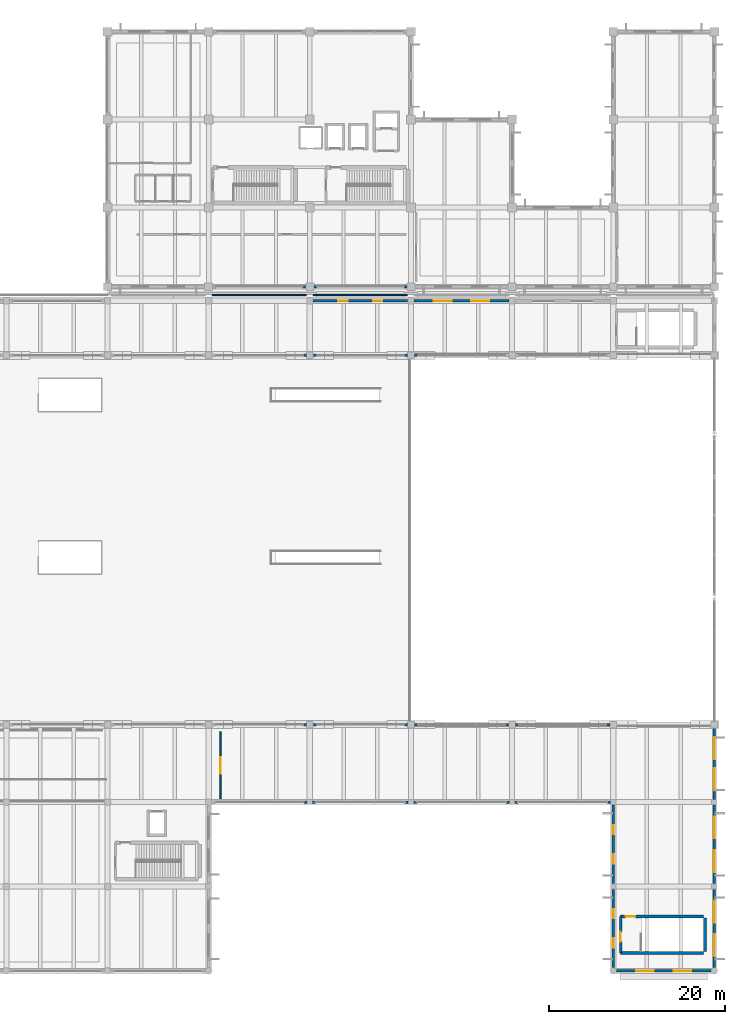
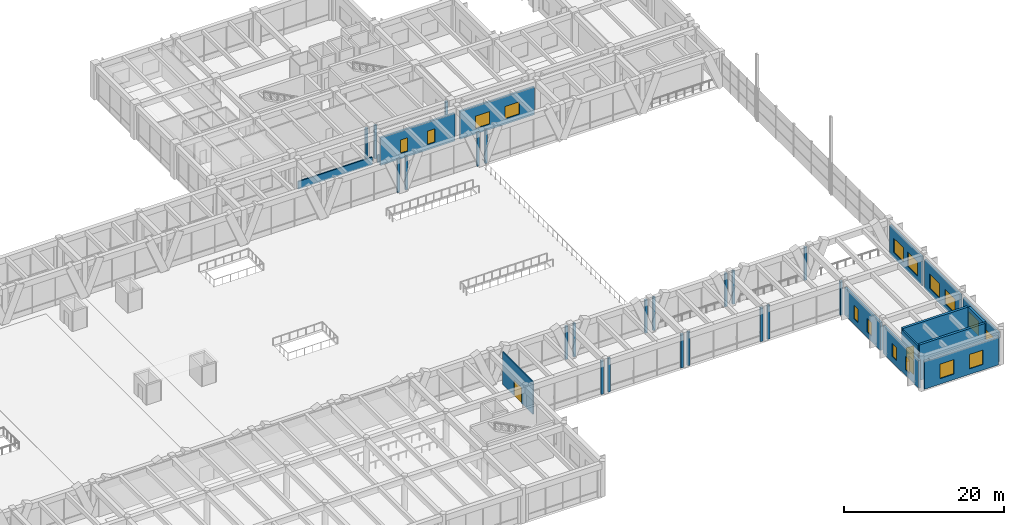
# One storey, part 131 of 148: 36 walls, 16 windows, 3 doors, 19 openings.
"""IFC4 building model written with IfcOpenShell, lengths in metres."""

from ifc_helpers import new_model, si_unit, direction, frame, frame_2d, origin, place, context, subcontext, project, spatial, rectangle, extrude, material, layer, layer_set, type_object, element, fill, save


model = new_model("IFC4")

# Units and contexts
model_context = context("Model", 3, precision=1e-05, world=origin(), true_north=direction((0.0, 1.0)))
body_context = subcontext(model_context, "Body", "Model", "MODEL_VIEW")
ifc_project = project(units=[si_unit("LENGTHUNIT", "METRE"), si_unit("AREAUNIT", "SQUARE_METRE"), si_unit("VOLUMEUNIT", "CUBIC_METRE"), si_unit("PLANEANGLEUNIT", "RADIAN"), si_unit("MASSUNIT", "GRAM", prefix="KILO")], contexts=[model_context])

# Site, building, storey
site_placement = place(None, origin())
site = spatial("IfcSite", under=ifc_project, at=site_placement, CompositionType="ELEMENT")
building_placement = place(site_placement, origin())
building = spatial("IfcBuilding", under=site, at=building_placement, Name="Ologun Quay Terminus", CompositionType="ELEMENT")
storey_placement = place(building_placement, frame((0.0, 0.0, 8.39990234375)))
storey = spatial("IfcBuildingStorey", under=building, at=storey_placement, Name="L02", CompositionType="ELEMENT", Elevation=8.39990234375)

# Walls
ifc_material_1 = material(Name="Concrete C40/50", Category="concrete")
ifc_layer_1 = layer(ifc_material_1, 0.280029296875)
ifc_layer_set_1 = layer_set([ifc_layer_1], Name="Concrete C40/50")
wall_type_1 = type_object("IfcWallType", Name="Courtyard Wing Spandrel Concrete Wall 280", PredefinedType="SOLIDWALL", material=ifc_layer_set_1)
for number, where, z_axis, x_axis, name in (
    (1, (137.330078125, 27.199951171875, 0.0), (0.0, 0.0, 1.0), (1.0, 0.0, 0.0), "Curtain Wall Jamb Pier CW-L02-030-J2"),
    (2, (138.320068359375, 27.199951171875, 0.0), (0.0, 0.0, 1.0), (1.0, 0.0, 0.0), "Curtain Wall Jamb Pier CW-L02-031-J1"),
    (3, (148.830078125, 27.199951171875, 0.0), (0.0, 0.0, 1.0), (1.0, 0.0, 0.0), "Curtain Wall Jamb Pier CW-L02-031-J2"),
    (4, (149.820068359375, 27.199951171875, 0.0), (0.0, 0.0, 1.0), (1.0, 0.0, 0.0), "Curtain Wall Jamb Pier CW-L02-032-J1"),
    (5, (160.330078125, 27.199951171875, 0.0), (0.0, 0.0, 1.0), (1.0, 0.0, 0.0), "Curtain Wall Jamb Pier CW-L02-032-J2"),
    (6, (161.320068359375, 27.199951171875, 0.0), (0.0, 0.0, 1.0), (1.0, 0.0, 0.0), "Curtain Wall Jamb Pier CW-L02-033-J1"),
    (7, (171.830078125, 27.199951171875, 0.0), (0.0, 0.0, 1.0), (1.0, 0.0, 0.0), "Curtain Wall Jamb Pier CW-L02-033-J2"),
):
    element("IfcWall", number, at=place(storey_placement, frame(where, z_axis=z_axis, x_axis=x_axis)), inside=storey, type_object=wall_type_1, Name=name, PredefinedType="SOLIDWALL", context=body_context, shape_type="SweptSolid", body=[
        extrude(rectangle(XDim=0.349853515625, YDim=0.280029296875, at=frame_2d((0.1748046875, 0.0))), origin(), (0.0, 0.0, 1.0), 5.14013671875),
    ])

# Wall, openings, windows
wall_1_placement = place(storey_placement, frame((172.5, 8.39501953125, 0.0), z_axis=(0.0, 0.0, 1.0), x_axis=(0.0, 1.0, 0.0)))
wall_1 = element("IfcWall", 8, at=wall_1_placement, inside=storey, type_object=wall_type_1, Name="EW-02 Facade Wall WEW-SA-L02-3-5", PredefinedType="SOLIDWALL", context=body_context, shape_type="SweptSolid", body=[
    extrude(rectangle(XDim=8.885009765625, YDim=0.280029296875, at=frame_2d((4.4423828125, 0.0))), origin(), (0.0, 0.0, 1.0), 4.25),
])
opening_1_placement = place(wall_1_placement, frame((2.26171875, 0.0, 0.85009765625)))
opening_1 = element("IfcOpeningElement", 9, at=opening_1_placement, cuts=wall_1, Name="Opening WN-081", PredefinedType="OPENING", context=body_context, shape_type="SweptSolid", body=[
    extrude(rectangle(XDim=1.050048828125, YDim=2.050048828125, at=frame_2d((0.52490234375, 1.02490234375))), frame((0.0, 0.14990234375, 0.0), z_axis=(0.0, -1.0, 0.0), x_axis=(1.0, 0.0, 0.0)), (0.0, 0.0, 1.0), 0.300048828125),
])
opening_2_placement = place(wall_1_placement, frame((5.5732421875, 0.0, 0.85009765625)))
opening_2 = element("IfcOpeningElement", 10, at=opening_2_placement, cuts=wall_1, Name="Opening WN-082", PredefinedType="OPENING", context=body_context, shape_type="SweptSolid", body=[
    extrude(rectangle(XDim=1.050048828125, YDim=2.050048828125, at=frame_2d((0.52490234375, 1.02490234375))), frame((0.0, 0.14990234375, 0.0), z_axis=(0.0, -1.0, 0.0), x_axis=(1.0, 0.0, 0.0)), (0.0, 0.0, 1.0), 0.300048828125),
])
ifc_material_2 = material(Name="Glass", Category="glass")
window_type_1 = type_object("IfcWindowType", Name="Prayer Room Stained-Glass Slot Window 1050x2050", PartitioningType="SINGLE_PANEL", PredefinedType="WINDOW", material=ifc_material_2)
window_1_placement = place(opening_1_placement, origin())
window_1 = element("IfcWindow", 11, at=window_1_placement, inside=storey, type_object=window_type_1, Name="W-32 Window WN-081", OverallHeight=2.050048828125, OverallWidth=1.050048828125, PartitioningType="SINGLE_PANEL", PredefinedType="WINDOW", context=body_context, shape_type="SweptSolid", body=[
    extrude(rectangle(XDim=1.050048828125, YDim=2.050048828125, at=frame_2d((0.52490234375, 1.02490234375))), frame((0.0, 0.030029296875, 0.0), z_axis=(0.0, -1.0, 0.0), x_axis=(1.0, 0.0, 0.0)), (0.0, 0.0, 1.0), 0.06005859375),
])
fill(opening_1, window_1)
window_2_placement = place(opening_2_placement, origin())
window_2 = element("IfcWindow", 12, at=window_2_placement, inside=storey, type_object=window_type_1, Name="W-32 Window WN-082", OverallHeight=2.050048828125, OverallWidth=1.050048828125, PartitioningType="SINGLE_PANEL", PredefinedType="WINDOW", context=body_context, shape_type="SweptSolid", body=[
    extrude(rectangle(XDim=1.050048828125, YDim=2.050048828125, at=frame_2d((0.52490234375, 1.02490234375))), frame((0.0, 0.030029296875, 0.0), z_axis=(0.0, -1.0, 0.0), x_axis=(1.0, 0.0, 0.0)), (0.0, 0.0, 1.0), 0.06005859375),
])
fill(opening_2, window_2)

wall_2_placement = place(storey_placement, frame((172.5, 17.919921875, 0.0), z_axis=(0.0, 0.0, 1.0), x_axis=(0.0, 1.0, 0.0)))
wall_2 = element("IfcWall", 13, at=wall_2_placement, inside=storey, type_object=wall_type_1, Name="EW-02 Facade Wall WEW-SA-L02-3-6", PredefinedType="SOLIDWALL", context=body_context, shape_type="SweptSolid", body=[
    extrude(rectangle(XDim=8.9599609375, YDim=0.280029296875, at=frame_2d((4.47998046875, 0.0))), origin(), (0.0, 0.0, 1.0), 4.25),
])
opening_3_placement = place(wall_2_placement, frame((2.28662109375, 0.0, 0.85009765625)))
opening_3 = element("IfcOpeningElement", 14, at=opening_3_placement, cuts=wall_2, Name="Opening WN-083", PredefinedType="OPENING", context=body_context, shape_type="SweptSolid", body=[
    extrude(rectangle(XDim=1.050048828125, YDim=2.050048828125, at=frame_2d((0.52490234375, 1.02490234375))), frame((0.0, 0.14990234375, 0.0), z_axis=(0.0, -1.0, 0.0), x_axis=(1.0, 0.0, 0.0)), (0.0, 0.0, 1.0), 0.300048828125),
])
opening_4_placement = place(wall_2_placement, frame((5.623291015625, 0.0, 0.85009765625)))
opening_4 = element("IfcOpeningElement", 15, at=opening_4_placement, cuts=wall_2, Name="Opening WN-084", PredefinedType="OPENING", context=body_context, shape_type="SweptSolid", body=[
    extrude(rectangle(XDim=1.050048828125, YDim=2.050048828125, at=frame_2d((0.52490234375, 1.02490234375))), frame((0.0, 0.14990234375, 0.0), z_axis=(0.0, -1.0, 0.0), x_axis=(1.0, 0.0, 0.0)), (0.0, 0.0, 1.0), 0.300048828125),
])
window_3_placement = place(opening_3_placement, origin())
window_3 = element("IfcWindow", 16, at=window_3_placement, inside=storey, type_object=window_type_1, Name="W-32 Window WN-083", OverallHeight=2.050048828125, OverallWidth=1.050048828125, PartitioningType="SINGLE_PANEL", PredefinedType="WINDOW", context=body_context, shape_type="SweptSolid", body=[
    extrude(rectangle(XDim=1.050048828125, YDim=2.050048828125, at=frame_2d((0.52490234375, 1.02490234375))), frame((0.0, 0.030029296875, 0.0), z_axis=(0.0, -1.0, 0.0), x_axis=(1.0, 0.0, 0.0)), (0.0, 0.0, 1.0), 0.06005859375),
])
fill(opening_3, window_3)
window_4_placement = place(opening_4_placement, origin())
window_4 = element("IfcWindow", 17, at=window_4_placement, inside=storey, type_object=window_type_1, Name="W-32 Window WN-084", OverallHeight=2.050048828125, OverallWidth=1.050048828125, PartitioningType="SINGLE_PANEL", PredefinedType="WINDOW", context=body_context, shape_type="SweptSolid", body=[
    extrude(rectangle(XDim=1.050048828125, YDim=2.050048828125, at=frame_2d((0.52490234375, 1.02490234375))), frame((0.0, 0.030029296875, 0.0), z_axis=(0.0, -1.0, 0.0), x_axis=(1.0, 0.0, 0.0)), (0.0, 0.0, 1.0), 0.06005859375),
])
fill(opening_4, window_4)

wall_3_placement = place(storey_placement, frame((172.89501953125, 8.0, 0.0), z_axis=(0.0, 0.0, 1.0), x_axis=(1.0, 0.0, 0.0)))
wall_3 = element("IfcWall", 18, at=wall_3_placement, inside=storey, type_object=wall_type_1, Name="EW-02 Facade Wall WEW-SA-L02-3-7", PredefinedType="SOLIDWALL", context=body_context, shape_type="SweptSolid", body=[
    extrude(rectangle(XDim=10.7099609375, YDim=0.280029296875, at=frame_2d((5.35498046875, 0.0))), origin(), (0.0, 0.0, 1.0), 4.25),
])
opening_5_placement = place(wall_3_placement, frame((2.23681640625, 0.0, 0.85009765625)))
opening_5 = element("IfcOpeningElement", 19, at=opening_5_placement, cuts=wall_3, Name="Opening WN-085", PredefinedType="OPENING", context=body_context, shape_type="SweptSolid", body=[
    extrude(rectangle(XDim=2.0, YDim=2.199951171875, at=frame_2d((1.0, 1.10009765625))), frame((0.0, 0.14990234375, 0.0), z_axis=(0.0, -1.0, 0.0), x_axis=(1.0, 0.0, 0.0)), (0.0, 0.0, 1.0), 0.300048828125),
])
opening_6_placement = place(wall_3_placement, frame((6.473388671875, 0.0, 0.85009765625)))
opening_6 = element("IfcOpeningElement", 20, at=opening_6_placement, cuts=wall_3, Name="Opening WN-086", PredefinedType="OPENING", context=body_context, shape_type="SweptSolid", body=[
    extrude(rectangle(XDim=2.0, YDim=2.199951171875, at=frame_2d((1.0, 1.10009765625))), frame((0.0, 0.14990234375, 0.0), z_axis=(0.0, -1.0, 0.0), x_axis=(1.0, 0.0, 0.0)), (0.0, 0.0, 1.0), 0.300048828125),
])
ifc_material_3 = material(Name="Glass", Category="glass")
window_type_2 = type_object("IfcWindowType", Name="VIP Lounge Harbour Window 2000x2200", PartitioningType="SINGLE_PANEL", PredefinedType="WINDOW", material=ifc_material_3)
window_5_placement = place(opening_5_placement, origin())
window_5 = element("IfcWindow", 21, at=window_5_placement, inside=storey, type_object=window_type_2, Name="W-08 Window WN-085", OverallHeight=2.199951171875, OverallWidth=2.0, PartitioningType="SINGLE_PANEL", PredefinedType="WINDOW", context=body_context, shape_type="SweptSolid", body=[
    extrude(rectangle(XDim=2.0, YDim=2.199951171875, at=frame_2d((1.0, 1.10009765625))), frame((0.0, 0.030029296875, 0.0), z_axis=(0.0, -1.0, 0.0), x_axis=(1.0, 0.0, 0.0)), (0.0, 0.0, 1.0), 0.06005859375),
])
fill(opening_5, window_5)
window_6_placement = place(opening_6_placement, origin())
window_6 = element("IfcWindow", 22, at=window_6_placement, inside=storey, type_object=window_type_2, Name="W-08 Window WN-086", OverallHeight=2.199951171875, OverallWidth=2.0, PartitioningType="SINGLE_PANEL", PredefinedType="WINDOW", context=body_context, shape_type="SweptSolid", body=[
    extrude(rectangle(XDim=2.0, YDim=2.199951171875, at=frame_2d((1.0, 1.10009765625))), frame((0.0, 0.030029296875, 0.0), z_axis=(0.0, -1.0, 0.0), x_axis=(1.0, 0.0, 0.0)), (0.0, 0.0, 1.0), 0.06005859375),
])
fill(opening_6, window_6)

wall_4_placement = place(storey_placement, frame((184.0, 8.39501953125, 0.0), z_axis=(0.0, 0.0, 1.0), x_axis=(0.0, 1.0, 0.0)))
wall_4 = element("IfcWall", 23, at=wall_4_placement, inside=storey, type_object=wall_type_1, Name="EW-02 Facade Wall WEW-SA-L02-3-8", PredefinedType="SOLIDWALL", context=body_context, shape_type="SweptSolid", body=[
    extrude(rectangle(XDim=8.885009765625, YDim=0.280029296875, at=frame_2d((4.4423828125, 0.0))), origin(), (0.0, 0.0, 1.0), 4.4501953125),
])
opening_7_placement = place(wall_4_placement, frame((1.294921875, 0.0, 0.85009765625)))
opening_7 = element("IfcOpeningElement", 24, at=opening_7_placement, cuts=wall_4, Name="Opening WN-087", PredefinedType="OPENING", context=body_context, shape_type="SweptSolid", body=[
    extrude(rectangle(XDim=2.5, YDim=2.199951171875, at=frame_2d((1.25, 1.10009765625))), frame((0.0, 0.14990234375, 0.0), z_axis=(0.0, -1.0, 0.0), x_axis=(1.0, 0.0, 0.0)), (0.0, 0.0, 1.0), 0.300048828125),
])
opening_8_placement = place(wall_4_placement, frame((5.090087890625, 0.0, 0.85009765625)))
opening_8 = element("IfcOpeningElement", 25, at=opening_8_placement, cuts=wall_4, Name="Opening WN-088", PredefinedType="OPENING", context=body_context, shape_type="SweptSolid", body=[
    extrude(rectangle(XDim=2.5, YDim=2.199951171875, at=frame_2d((1.25, 1.10009765625))), frame((0.0, 0.14990234375, 0.0), z_axis=(0.0, -1.0, 0.0), x_axis=(1.0, 0.0, 0.0)), (0.0, 0.0, 1.0), 0.300048828125),
])
ifc_material_4 = material(Name="Glass", Category="glass")
window_type_3 = type_object("IfcWindowType", Name="Concourse Waiting Window 2500x2200", PartitioningType="SINGLE_PANEL", PredefinedType="WINDOW", material=ifc_material_4)
window_7_placement = place(opening_7_placement, origin())
window_7 = element("IfcWindow", 26, at=window_7_placement, inside=storey, type_object=window_type_3, Name="W-07 Window WN-087", OverallHeight=2.199951171875, OverallWidth=2.5, PartitioningType="SINGLE_PANEL", PredefinedType="WINDOW", context=body_context, shape_type="SweptSolid", body=[
    extrude(rectangle(XDim=2.5, YDim=2.199951171875, at=frame_2d((1.25, 1.10009765625))), frame((0.0, 0.030029296875, 0.0), z_axis=(0.0, -1.0, 0.0), x_axis=(1.0, 0.0, 0.0)), (0.0, 0.0, 1.0), 0.06005859375),
])
fill(opening_7, window_7)
window_8_placement = place(opening_8_placement, origin())
window_8 = element("IfcWindow", 27, at=window_8_placement, inside=storey, type_object=window_type_3, Name="W-07 Window WN-088", OverallHeight=2.199951171875, OverallWidth=2.5, PartitioningType="SINGLE_PANEL", PredefinedType="WINDOW", context=body_context, shape_type="SweptSolid", body=[
    extrude(rectangle(XDim=2.5, YDim=2.199951171875, at=frame_2d((1.25, 1.10009765625))), frame((0.0, 0.030029296875, 0.0), z_axis=(0.0, -1.0, 0.0), x_axis=(1.0, 0.0, 0.0)), (0.0, 0.0, 1.0), 0.06005859375),
])
fill(opening_8, window_8)

wall_5_placement = place(storey_placement, frame((184.0, 17.919921875, 0.0), z_axis=(0.0, 0.0, 1.0), x_axis=(0.0, 1.0, 0.0)))
wall_5 = element("IfcWall", 28, at=wall_5_placement, inside=storey, type_object=wall_type_1, Name="EW-02 Facade Wall WEW-SA-L02-3-9", PredefinedType="SOLIDWALL", context=body_context, shape_type="SweptSolid", body=[
    extrude(rectangle(XDim=8.9599609375, YDim=0.280029296875, at=frame_2d((4.47998046875, 0.0))), origin(), (0.0, 0.0, 1.0), 4.4501953125),
])
opening_9_placement = place(wall_5_placement, frame((1.320068359375, 0.0, 0.85009765625)))
opening_9 = element("IfcOpeningElement", 29, at=opening_9_placement, cuts=wall_5, Name="Opening WN-089", PredefinedType="OPENING", context=body_context, shape_type="SweptSolid", body=[
    extrude(rectangle(XDim=2.5, YDim=2.199951171875, at=frame_2d((1.25, 1.10009765625))), frame((0.0, 0.14990234375, 0.0), z_axis=(0.0, -1.0, 0.0), x_axis=(1.0, 0.0, 0.0)), (0.0, 0.0, 1.0), 0.300048828125),
])
opening_10_placement = place(wall_5_placement, frame((5.139892578125, 0.0, 0.85009765625)))
opening_10 = element("IfcOpeningElement", 30, at=opening_10_placement, cuts=wall_5, Name="Opening WN-090", PredefinedType="OPENING", context=body_context, shape_type="SweptSolid", body=[
    extrude(rectangle(XDim=2.5, YDim=2.199951171875, at=frame_2d((1.25, 1.10009765625))), frame((0.0, 0.14990234375, 0.0), z_axis=(0.0, -1.0, 0.0), x_axis=(1.0, 0.0, 0.0)), (0.0, 0.0, 1.0), 0.300048828125),
])
window_9_placement = place(opening_9_placement, origin())
window_9 = element("IfcWindow", 31, at=window_9_placement, inside=storey, type_object=window_type_3, Name="W-07 Window WN-089", OverallHeight=2.199951171875, OverallWidth=2.5, PartitioningType="SINGLE_PANEL", PredefinedType="WINDOW", context=body_context, shape_type="SweptSolid", body=[
    extrude(rectangle(XDim=2.5, YDim=2.199951171875, at=frame_2d((1.25, 1.10009765625))), frame((0.0, 0.030029296875, 0.0), z_axis=(0.0, -1.0, 0.0), x_axis=(1.0, 0.0, 0.0)), (0.0, 0.0, 1.0), 0.06005859375),
])
fill(opening_9, window_9)
window_10_placement = place(opening_10_placement, origin())
window_10 = element("IfcWindow", 32, at=window_10_placement, inside=storey, type_object=window_type_3, Name="W-07 Window WN-090", OverallHeight=2.199951171875, OverallWidth=2.5, PartitioningType="SINGLE_PANEL", PredefinedType="WINDOW", context=body_context, shape_type="SweptSolid", body=[
    extrude(rectangle(XDim=2.5, YDim=2.199951171875, at=frame_2d((1.25, 1.10009765625))), frame((0.0, 0.030029296875, 0.0), z_axis=(0.0, -1.0, 0.0), x_axis=(1.0, 0.0, 0.0)), (0.0, 0.0, 1.0), 0.06005859375),
])
fill(opening_10, window_10)

wall_6_placement = place(storey_placement, frame((184.0, 27.52001953125, 0.0), z_axis=(0.0, 0.0, 1.0), x_axis=(0.0, 1.0, 0.0)))
wall_6 = element("IfcWall", 33, at=wall_6_placement, inside=storey, type_object=wall_type_1, Name="EW-02 Facade Wall WEW-SA-L02-3-10", PredefinedType="SOLIDWALL", context=body_context, shape_type="SweptSolid", body=[
    extrude(rectangle(XDim=8.0849609375, YDim=0.280029296875, at=frame_2d((4.04248046875, 0.0))), origin(), (0.0, 0.0, 1.0), 4.4501953125),
])
opening_11_placement = place(wall_6_placement, frame((1.0283203125, 0.0, 0.85009765625)))
opening_11 = element("IfcOpeningElement", 34, at=opening_11_placement, cuts=wall_6, Name="Opening WN-091", PredefinedType="OPENING", context=body_context, shape_type="SweptSolid", body=[
    extrude(rectangle(XDim=2.5, YDim=2.199951171875, at=frame_2d((1.25, 1.10009765625))), frame((0.0, 0.14990234375, 0.0), z_axis=(0.0, -1.0, 0.0), x_axis=(1.0, 0.0, 0.0)), (0.0, 0.0, 1.0), 0.300048828125),
])
opening_12_placement = place(wall_6_placement, frame((4.556640625, 0.0, 0.85009765625)))
opening_12 = element("IfcOpeningElement", 35, at=opening_12_placement, cuts=wall_6, Name="Opening WN-092", PredefinedType="OPENING", context=body_context, shape_type="SweptSolid", body=[
    extrude(rectangle(XDim=2.5, YDim=2.199951171875, at=frame_2d((1.25, 1.10009765625))), frame((0.0, 0.14990234375, 0.0), z_axis=(0.0, -1.0, 0.0), x_axis=(1.0, 0.0, 0.0)), (0.0, 0.0, 1.0), 0.300048828125),
])
window_11_placement = place(opening_11_placement, origin())
window_11 = element("IfcWindow", 36, at=window_11_placement, inside=storey, type_object=window_type_3, Name="W-07 Window WN-091", OverallHeight=2.199951171875, OverallWidth=2.5, PartitioningType="SINGLE_PANEL", PredefinedType="WINDOW", context=body_context, shape_type="SweptSolid", body=[
    extrude(rectangle(XDim=2.5, YDim=2.199951171875, at=frame_2d((1.25, 1.10009765625))), frame((0.0, 0.030029296875, 0.0), z_axis=(0.0, -1.0, 0.0), x_axis=(1.0, 0.0, 0.0)), (0.0, 0.0, 1.0), 0.06005859375),
])
fill(opening_11, window_11)
window_12_placement = place(opening_12_placement, origin())
window_12 = element("IfcWindow", 37, at=window_12_placement, inside=storey, type_object=window_type_3, Name="W-07 Window WN-092", OverallHeight=2.199951171875, OverallWidth=2.5, PartitioningType="SINGLE_PANEL", PredefinedType="WINDOW", context=body_context, shape_type="SweptSolid", body=[
    extrude(rectangle(XDim=2.5, YDim=2.199951171875, at=frame_2d((1.25, 1.10009765625))), frame((0.0, 0.030029296875, 0.0), z_axis=(0.0, -1.0, 0.0), x_axis=(1.0, 0.0, 0.0)), (0.0, 0.0, 1.0), 0.06005859375),
])
fill(opening_12, window_12)

wall_7_placement = place(storey_placement, frame((138.3701171875, 84.199951171875, 0.0), z_axis=(0.0, 0.0, 1.0), x_axis=(1.0, 0.0, 0.0)))
wall_7 = element("IfcWall", 38, at=wall_7_placement, inside=storey, type_object=wall_type_1, Name="EW-02 Facade Wall WEW-NGW-L02-13", PredefinedType="SOLIDWALL", context=body_context, shape_type="SweptSolid", body=[
    extrude(rectangle(XDim=10.759765625, YDim=0.280029296875, at=frame_2d((5.3798828125, 0.0))), origin(), (0.0, 0.0, 1.0), 4.25),
])
opening_13_placement = place(wall_7_placement, frame((2.88671875, 0.0, 0.85009765625)))
opening_13 = element("IfcOpeningElement", 39, at=opening_13_placement, cuts=wall_7, Name="Opening WN-150", PredefinedType="OPENING", context=body_context, shape_type="SweptSolid", body=[
    extrude(rectangle(XDim=1.050048828125, YDim=2.050048828125, at=frame_2d((0.52490234375, 1.02490234375))), frame((0.0, 0.14990234375, 0.0), z_axis=(0.0, -1.0, 0.0), x_axis=(1.0, 0.0, 0.0)), (0.0, 0.0, 1.0), 0.300048828125),
])
opening_14_placement = place(wall_7_placement, frame((6.8232421875, 0.0, 0.85009765625)))
opening_14 = element("IfcOpeningElement", 40, at=opening_14_placement, cuts=wall_7, Name="Opening WN-151", PredefinedType="OPENING", context=body_context, shape_type="SweptSolid", body=[
    extrude(rectangle(XDim=1.050048828125, YDim=2.050048828125, at=frame_2d((0.52490234375, 1.02490234375))), frame((0.0, 0.14990234375, 0.0), z_axis=(0.0, -1.0, 0.0), x_axis=(1.0, 0.0, 0.0)), (0.0, 0.0, 1.0), 0.300048828125),
])
window_13_placement = place(opening_13_placement, origin())
window_13 = element("IfcWindow", 41, at=window_13_placement, inside=storey, type_object=window_type_1, Name="W-32 Window WN-150", OverallHeight=2.050048828125, OverallWidth=1.050048828125, PartitioningType="SINGLE_PANEL", PredefinedType="WINDOW", context=body_context, shape_type="SweptSolid", body=[
    extrude(rectangle(XDim=1.050048828125, YDim=2.050048828125, at=frame_2d((0.52490234375, 1.02490234375))), frame((0.0, 0.030029296875, 0.0), z_axis=(0.0, -1.0, 0.0), x_axis=(1.0, 0.0, 0.0)), (0.0, 0.0, 1.0), 0.06005859375),
])
fill(opening_13, window_13)
window_14_placement = place(opening_14_placement, origin())
window_14 = element("IfcWindow", 42, at=window_14_placement, inside=storey, type_object=window_type_1, Name="W-32 Window WN-151", OverallHeight=2.050048828125, OverallWidth=1.050048828125, PartitioningType="SINGLE_PANEL", PredefinedType="WINDOW", context=body_context, shape_type="SweptSolid", body=[
    extrude(rectangle(XDim=1.050048828125, YDim=2.050048828125, at=frame_2d((0.52490234375, 1.02490234375))), frame((0.0, 0.030029296875, 0.0), z_axis=(0.0, -1.0, 0.0), x_axis=(1.0, 0.0, 0.0)), (0.0, 0.0, 1.0), 0.06005859375),
])
fill(opening_14, window_14)

wall_8_placement = place(storey_placement, frame((149.8701171875, 84.199951171875, 0.0), z_axis=(0.0, 0.0, 1.0), x_axis=(1.0, 0.0, 0.0)))
wall_8 = element("IfcWall", 43, at=wall_8_placement, inside=storey, type_object=wall_type_1, Name="EW-02 Facade Wall WEW-NGW-L02-14", PredefinedType="SOLIDWALL", context=body_context, shape_type="SweptSolid", body=[
    extrude(rectangle(XDim=10.759765625, YDim=0.280029296875, at=frame_2d((5.3798828125, 0.0))), origin(), (0.0, 0.0, 1.0), 4.25),
])
opening_15_placement = place(wall_8_placement, frame((2.219970703125, 0.0, 0.85009765625)))
opening_15 = element("IfcOpeningElement", 44, at=opening_15_placement, cuts=wall_8, Name="Opening WN-152", PredefinedType="OPENING", context=body_context, shape_type="SweptSolid", body=[
    extrude(rectangle(XDim=2.050048828125, YDim=1.89990234375, at=frame_2d((1.02490234375, 0.949951171875))), frame((0.0, 0.14990234375, 0.0), z_axis=(0.0, -1.0, 0.0), x_axis=(1.0, 0.0, 0.0)), (0.0, 0.0, 1.0), 0.300048828125),
])
opening_16_placement = place(wall_8_placement, frame((6.489990234375, 0.0, 0.85009765625)))
opening_16 = element("IfcOpeningElement", 45, at=opening_16_placement, cuts=wall_8, Name="Opening WN-153", PredefinedType="OPENING", context=body_context, shape_type="SweptSolid", body=[
    extrude(rectangle(XDim=2.050048828125, YDim=1.89990234375, at=frame_2d((1.02490234375, 0.949951171875))), frame((0.0, 0.14990234375, 0.0), z_axis=(0.0, -1.0, 0.0), x_axis=(1.0, 0.0, 0.0)), (0.0, 0.0, 1.0), 0.300048828125),
])
ifc_material_5 = material(Name="Glass", Category="glass")
window_type_4 = type_object("IfcWindowType", Name="Dispatch Hall Twin Window 2050x1900", PartitioningType="SINGLE_PANEL", PredefinedType="WINDOW", material=ifc_material_5)
window_15_placement = place(opening_15_placement, origin())
window_15 = element("IfcWindow", 46, at=window_15_placement, inside=storey, type_object=window_type_4, Name="W-22 Window WN-152", OverallHeight=1.89990234375, OverallWidth=2.050048828125, PartitioningType="SINGLE_PANEL", PredefinedType="WINDOW", context=body_context, shape_type="SweptSolid", body=[
    extrude(rectangle(XDim=2.050048828125, YDim=1.89990234375, at=frame_2d((1.02490234375, 0.949951171875))), frame((0.0, 0.030029296875, 0.0), z_axis=(0.0, -1.0, 0.0), x_axis=(1.0, 0.0, 0.0)), (0.0, 0.0, 1.0), 0.06005859375),
])
fill(opening_15, window_15)
window_16_placement = place(opening_16_placement, origin())
window_16 = element("IfcWindow", 47, at=window_16_placement, inside=storey, type_object=window_type_4, Name="W-22 Window WN-153", OverallHeight=1.89990234375, OverallWidth=2.050048828125, PartitioningType="SINGLE_PANEL", PredefinedType="WINDOW", context=body_context, shape_type="SweptSolid", body=[
    extrude(rectangle(XDim=2.050048828125, YDim=1.89990234375, at=frame_2d((1.02490234375, 0.949951171875))), frame((0.0, 0.030029296875, 0.0), z_axis=(0.0, -1.0, 0.0), x_axis=(1.0, 0.0, 0.0)), (0.0, 0.0, 1.0), 0.06005859375),
])
fill(opening_16, window_16)

# Walls
for number, where, z_axis, x_axis, name in (
    (48, (137.179931640625, 85.800048828125, 0.0), (0.0, 0.0, 1.0), (1.0, 0.0, 0.0), "Curtain Wall Jamb Pier CW-L02-131-J2"),
    (49, (138.469970703125, 85.800048828125, 0.0), (0.0, 0.0, 1.0), (1.0, 0.0, 0.0), "Curtain Wall Jamb Pier CW-L02-132-J1"),
    (50, (148.679931640625, 85.800048828125, 0.0), (0.0, 0.0, 1.0), (1.0, 0.0, 0.0), "Curtain Wall Jamb Pier CW-L02-132-J2"),
):
    element("IfcWall", number, at=place(storey_placement, frame(where, z_axis=z_axis, x_axis=x_axis)), inside=storey, type_object=wall_type_1, Name=name, PredefinedType="SOLIDWALL", context=body_context, shape_type="SweptSolid", body=[
        extrude(rectangle(XDim=0.35009765625, YDim=0.280029296875, at=frame_2d((0.175048828125, 0.0))), origin(), (0.0, 0.0, 1.0), 5.130126953125),
    ])

# Wall, opening, door
ifc_material_6 = material(Name="Concrete C40/50", Category="concrete")
ifc_layer_2 = layer(ifc_material_6, 0.239990234375)
ifc_layer_set_2 = layer_set([ifc_layer_2], Name="Concrete C40/50")
wall_type_2 = type_object("IfcWallType", Name="Fire Compartment Blockwork Wall 240", PredefinedType="SOLIDWALL", material=ifc_layer_set_2)
wall_9_placement = place(storey_placement, frame((173.35009765625, 10.02001953125, 0.0), z_axis=(0.0, 0.0, 1.0), x_axis=(0.0, 1.0, 0.0)))
wall_9 = element("IfcWall", 51, at=wall_9_placement, inside=storey, type_object=wall_type_2, Name="PW-01 Partition ST-S2-W", PredefinedType="SOLIDWALL", context=body_context, shape_type="SweptSolid", body=[
    extrude(rectangle(XDim=4.159912109375, YDim=0.239990234375, at=frame_2d((2.080078125, 0.0))), origin(), (0.0, 0.0, 1.0), 5.1201171875),
])
opening_17_placement = place(wall_9_placement, frame((1.300048828125, 0.0, 0.0)))
opening_17 = element("IfcOpeningElement", 52, at=opening_17_placement, cuts=wall_9, Name="Opening ID-246", PredefinedType="OPENING", context=body_context, shape_type="SweptSolid", body=[
    extrude(rectangle(XDim=1.1298828125, YDim=2.14990234375, at=frame_2d((0.56494140625, 1.074951171875))), frame((0.0, 0.1298828125, 0.0), z_axis=(0.0, -1.0, 0.0), x_axis=(1.0, 0.0, 0.0)), (0.0, 0.0, 1.0), 0.260009765625),
])
ifc_material_7 = material(Name="Steel S355", Category="steel")
door_type_1 = type_object("IfcDoorType", Name="Stairwell Fire Escape Door 1130x2150", OperationType="SINGLE_SWING_LEFT", PredefinedType="DOOR", material=ifc_material_7)
door_1_placement = place(opening_17_placement, frame((0.56494140625, 0.0, 0.0), z_axis=(0.0, 0.0, 1.0), x_axis=(-1.0, 0.0, 0.0)))
door_1 = element("IfcDoor", 53, at=door_1_placement, inside=storey, type_object=door_type_1, Name="FD-01 Door ID-246", OperationType="SINGLE_SWING_LEFT", OverallHeight=2.14990234375, OverallWidth=1.1298828125, PredefinedType="DOOR", context=body_context, shape_type="SweptSolid", body=[
    extrude(rectangle(XDim=1.1298828125, YDim=2.14990234375, at=frame_2d((0.0, 1.074951171875))), frame((0.0, 0.02490234375, 0.0), z_axis=(0.0, -1.0, 0.0), x_axis=(1.0, 0.0, 0.0)), (0.0, 0.0, 1.0), 0.050048828125),
])
fill(opening_17, door_1)

# Walls
ifc_material_8 = material(Name="Concrete C40/50", Category="concrete")
ifc_layer_3 = layer(ifc_material_8, 0.18994140625)
ifc_layer_set_3 = layer_set([ifc_layer_3], Name="Concrete C40/50")
wall_type_3 = type_object("IfcWallType", Name="Movement Joint Weathering Upstand 190", PredefinedType="PARAPET", material=ifc_layer_set_3)
for number, where, z_axis, x_axis, name in (
    (54, (126.89990234375, 84.860107421875, 0.0), (0.0, 0.0, 1.0), (1.0, 0.0, 0.0), "EW-07 Movement Joint Upstand L02-12"),
    (55, (138.39990234375, 84.860107421875, 0.0), (0.0, 0.0, 1.0), (1.0, 0.0, 0.0), "EW-07 Movement Joint Upstand L02-13"),
):
    element("IfcWall", number, at=place(storey_placement, frame(where, z_axis=z_axis, x_axis=x_axis)), inside=storey, type_object=wall_type_3, Name=name, PredefinedType="PARAPET", context=body_context, shape_type="SweptSolid", body=[
        extrude(rectangle(XDim=10.7001953125, YDim=0.18994140625, at=frame_2d((5.35009765625, 0.0))), origin(), (0.0, 0.0, 1.0), 1.150146484375),
    ])

# Wall, opening, door
ifc_material_9 = material(Name="Concrete C40/50", Category="concrete")
ifc_layer_4 = layer(ifc_material_9, 0.159912109375)
ifc_layer_set_4 = layer_set([ifc_layer_4], Name="Concrete C40/50")
wall_type_4 = type_object("IfcWallType", Name="Retail & Lounge Separation Wall 160", PredefinedType="PARTITIONING", material=ifc_layer_set_4)
wall_10_placement = place(storey_placement, frame((127.85009765625, 27.60009765625, 0.0), z_axis=(0.0, 0.0, 1.0), x_axis=(0.0, 1.0, 0.0)))
wall_10 = element("IfcWall", 56, at=wall_10_placement, inside=storey, type_object=wall_type_4, Name="PW-04 Partition L02-TravelShop-W", PredefinedType="PARTITIONING", context=body_context, shape_type="SweptSolid", body=[
    extrude(rectangle(XDim=7.599853515625, YDim=0.159912109375, at=frame_2d((3.7998046875, 0.0))), origin(), (0.0, 0.0, 1.0), 4.97998046875),
])
opening_18_placement = place(wall_10_placement, frame((2.800048828125, 0.0, 0.0)))
opening_18 = element("IfcOpeningElement", 57, at=opening_18_placement, cuts=wall_10, Name="Opening ID-319", PredefinedType="OPENING", context=body_context, shape_type="SweptSolid", body=[
    extrude(rectangle(XDim=1.89990234375, YDim=2.35009765625, at=frame_2d((0.949951171875, 1.175048828125))), frame((0.0, 0.08984375, 0.0), z_axis=(0.0, -1.0, 0.0), x_axis=(1.0, 0.0, 0.0)), (0.0, 0.0, 1.0), 0.179931640625),
])
ifc_material_10 = material(Name="Glass", Category="glass")
door_type_2 = type_object("IfcDoorType", Name="Retail Shopfront Glazed Pair 1900x2350", OperationType="DOUBLE_DOOR_SINGLE_SWING", PredefinedType="DOOR", material=ifc_material_10)
door_2_placement = place(opening_18_placement, origin())
door_2 = element("IfcDoor", 58, at=door_2_placement, inside=storey, type_object=door_type_2, Name="ID-06 Door ID-319", OperationType="DOUBLE_DOOR_SINGLE_SWING", OverallHeight=2.35009765625, OverallWidth=1.89990234375, PredefinedType="DOOR", context=body_context, shape_type="SweptSolid", body=[
    extrude(rectangle(XDim=1.89990234375, YDim=2.35009765625, at=frame_2d((0.949951171875, 1.175048828125))), frame((0.0, 0.02490234375, 0.0), z_axis=(0.0, -1.0, 0.0), x_axis=(1.0, 0.0, 0.0)), (0.0, 0.0, 1.0), 0.050048828125),
])
fill(opening_18, door_2)

# Wall
ifc_material_11 = material(Name="Concrete C40/50", Category="concrete")
ifc_layer_5 = layer(ifc_material_11, 0.35009765625)
ifc_layer_set_5 = layer_set([ifc_layer_5], Name="Concrete C40/50")
wall_type_5 = type_object("IfcWallType", Name="Station Core Shear Wall 350", PredefinedType="SHEAR", material=ifc_layer_set_5)
wall_11_placement = place(storey_placement, frame((173.35009765625, 10.02490234375, 0.0), z_axis=(0.0, 0.0, 1.0), x_axis=(1.0, 0.0, 0.0)))
element("IfcWall", 59, at=wall_11_placement, inside=storey, type_object=wall_type_5, Name="Station Core 2 S Shear Wall L02", PredefinedType="SHEAR", context=body_context, shape_type="SweptSolid", body=[
    extrude(rectangle(XDim=9.39990234375, YDim=0.35009765625, at=frame_2d((4.699951171875, 0.0))), origin(), (0.0, 0.0, 1.0), 5.400146484375),
])

# Wall, opening, door
wall_12_placement = place(storey_placement, frame((173.35009765625, 14.175048828125, 0.0), z_axis=(0.0, 0.0, 1.0), x_axis=(1.0, 0.0, 0.0)))
wall_12 = element("IfcWall", 60, at=wall_12_placement, inside=storey, type_object=wall_type_5, Name="Station Core 2 N Shear Wall L02", PredefinedType="SHEAR", context=body_context, shape_type="SweptSolid", body=[
    extrude(rectangle(XDim=9.39990234375, YDim=0.35009765625, at=frame_2d((4.699951171875, 0.0))), origin(), (0.0, 0.0, 1.0), 5.400146484375),
])
opening_19_placement = place(wall_12_placement, frame((0.550048828125, 0.0, 0.0)))
opening_19 = element("IfcOpeningElement", 61, at=opening_19_placement, cuts=wall_12, Name="Opening ID-247", PredefinedType="OPENING", context=body_context, shape_type="SweptSolid", body=[
    extrude(rectangle(XDim=1.1298828125, YDim=2.14990234375, at=frame_2d((0.56494140625, 1.074951171875))), frame((0.0, 0.18505859375, 0.0), z_axis=(0.0, -1.0, 0.0), x_axis=(1.0, 0.0, 0.0)), (0.0, 0.0, 1.0), 0.3701171875),
])
door_3_placement = place(opening_19_placement, frame((0.56494140625, 0.0, 0.0), z_axis=(0.0, 0.0, 1.0), x_axis=(-1.0, 0.0, 0.0)))
door_3 = element("IfcDoor", 62, at=door_3_placement, inside=storey, type_object=door_type_1, Name="FD-01 Door ID-247", OperationType="SINGLE_SWING_LEFT", OverallHeight=2.14990234375, OverallWidth=1.1298828125, PredefinedType="DOOR", context=body_context, shape_type="SweptSolid", body=[
    extrude(rectangle(XDim=1.1298828125, YDim=2.14990234375, at=frame_2d((0.0, 1.074951171875))), frame((0.0, 0.02490234375, 0.0), z_axis=(0.0, -1.0, 0.0), x_axis=(1.0, 0.0, 0.0)), (0.0, 0.0, 1.0), 0.050048828125),
])
fill(opening_19, door_3)

# Walls
wall_13_placement = place(storey_placement, frame((182.925048828125, 10.199951171875, 0.0), z_axis=(0.0, 0.0, 1.0), x_axis=(0.0, 1.0, 0.0)))
element("IfcWall", 63, at=wall_13_placement, inside=storey, type_object=wall_type_5, Name="Station Core 2 E Shear Wall L02", PredefinedType="SHEAR", context=body_context, shape_type="SweptSolid", body=[
    extrude(rectangle(XDim=3.800048828125, YDim=0.35009765625, at=frame_2d((1.89990234375, 0.0))), origin(), (0.0, 0.0, 1.0), 5.400146484375),
])
ifc_material_12 = material(Name="Concrete C40/50", Category="concrete")
ifc_layer_6 = layer(ifc_material_12, 0.260009765625)
ifc_layer_set_6 = layer_set([ifc_layer_6], Name="Concrete C40/50")
wall_type_6 = type_object("IfcWallType", Name="Train Shed Clerestory Upstand Wall 260", PredefinedType="SOLIDWALL", material=ifc_layer_set_6)
for number, where, z_axis, x_axis, name in (
    (64, (137.2548828125, 36.0, 0.0), (0.0, 0.0, 1.0), (1.0, 0.0, 0.0), "Curtain Wall Jamb Pier CW-L02-066-J2"),
    (65, (137.2548828125, 78.0, 0.0), (0.0, 0.0, 1.0), (1.0, 0.0, 0.0), "Curtain Wall Jamb Pier CW-L02-067-J2"),
    (66, (138.39501953125, 36.0, 0.0), (0.0, 0.0, 1.0), (1.0, 0.0, 0.0), "Curtain Wall Jamb Pier CW-L02-068-J1"),
    (67, (148.7548828125, 36.0, 0.0), (0.0, 0.0, 1.0), (1.0, 0.0, 0.0), "Curtain Wall Jamb Pier CW-L02-068-J2"),
    (68, (138.39501953125, 78.0, 0.0), (0.0, 0.0, 1.0), (1.0, 0.0, 0.0), "Curtain Wall Jamb Pier CW-L02-069-J1"),
    (69, (148.7548828125, 78.0, 0.0), (0.0, 0.0, 1.0), (1.0, 0.0, 0.0), "Curtain Wall Jamb Pier CW-L02-069-J2"),
    (70, (149.89501953125, 36.0, 0.0), (0.0, 0.0, 1.0), (1.0, 0.0, 0.0), "Curtain Wall Jamb Pier CW-L02-070-J1"),
    (71, (160.2548828125, 36.0, 0.0), (0.0, 0.0, 1.0), (1.0, 0.0, 0.0), "Curtain Wall Jamb Pier CW-L02-070-J2"),
    (72, (149.89501953125, 78.0, 0.0), (0.0, 0.0, 1.0), (1.0, 0.0, 0.0), "Curtain Wall Jamb Pier CW-L02-071-J1"),
    (73, (161.39501953125, 36.0, 0.0), (0.0, 0.0, 1.0), (1.0, 0.0, 0.0), "Curtain Wall Jamb Pier CW-L02-072-J1"),
    (74, (171.7548828125, 36.0, 0.0), (0.0, 0.0, 1.0), (1.0, 0.0, 0.0), "Curtain Wall Jamb Pier CW-L02-072-J2"),
):
    element("IfcWall", number, at=place(storey_placement, frame(where, z_axis=z_axis, x_axis=x_axis)), inside=storey, type_object=wall_type_6, Name=name, PredefinedType="SOLIDWALL", context=body_context, shape_type="SweptSolid", body=[
        extrude(rectangle(XDim=0.35009765625, YDim=0.260009765625, at=frame_2d((0.175048828125, 0.0))), origin(), (0.0, 0.0, 1.0), 5.10009765625),
    ])

save(model, "model.ifc")
